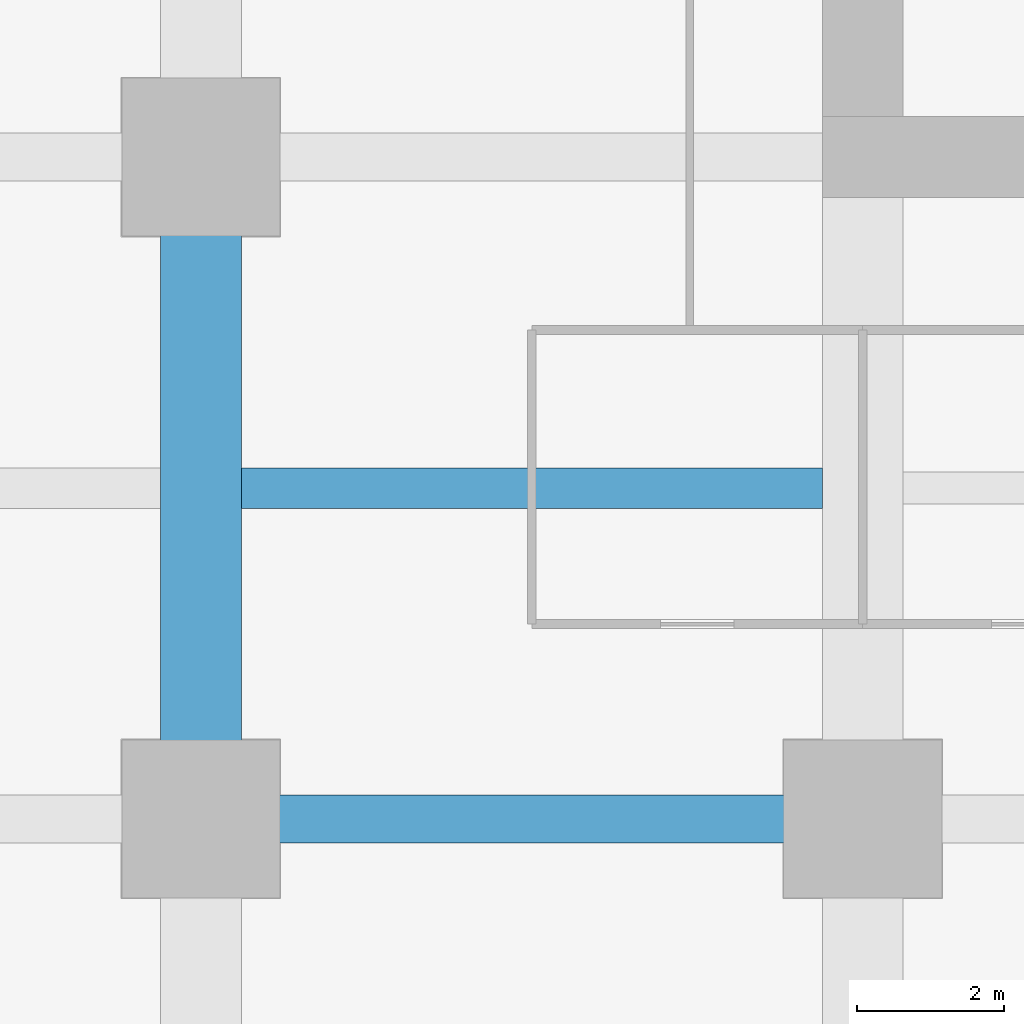
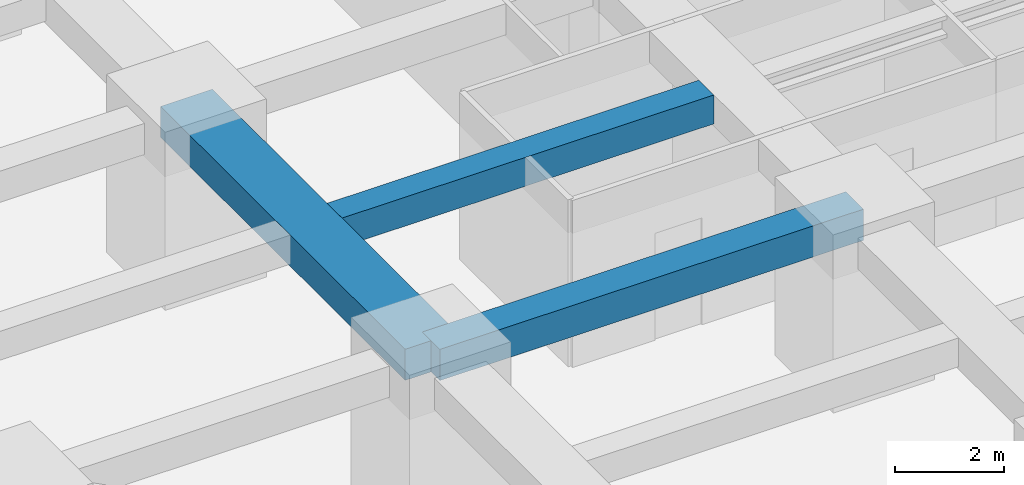
# One storey, part 5 of 44: 3 beams.
"""IFC4 building model written with IfcOpenShell, lengths in metres."""

from ifc_helpers import new_model, si_unit, direction, frame, origin, origin_2d, place, context, subcontext, project, spatial, rectangle, extrude, material, material_profile, profile_set, type_object, element, save


model = new_model("IFC4")

# Units and contexts
model_context = context("Model", 3, precision=1e-05, world=origin(), true_north=direction((0.0, 1.0)))
body_context = subcontext(model_context, "Body", "Model", "MODEL_VIEW")
ifc_project = project(units=[si_unit("LENGTHUNIT", "METRE"), si_unit("AREAUNIT", "SQUARE_METRE"), si_unit("VOLUMEUNIT", "CUBIC_METRE"), si_unit("PLANEANGLEUNIT", "RADIAN"), si_unit("MASSUNIT", "GRAM", prefix="KILO")], contexts=[model_context])

# Site, building, storey
site_placement = place(None, origin())
site = spatial("IfcSite", under=ifc_project, at=site_placement, CompositionType="ELEMENT")
building_placement = place(site_placement, origin())
building = spatial("IfcBuilding", under=site, at=building_placement, Name="Zorevar Civic Tower", CompositionType="ELEMENT")
storey_placement = place(building_placement, frame((0.0, 0.0, 59.800048828125)))
storey = spatial("IfcBuildingStorey", under=building, at=storey_placement, Name="L14", CompositionType="ELEMENT", Elevation=59.800048828125)

# Beams
ifc_material_1 = material(Name="Concrete C50/60", Category="concrete")
ifc_material_profile_1 = material_profile(ifc_material_1, rectangle(XDim=1.10009765625, YDim=0.699951171875, at=origin_2d()), Name="RC 1100x700")
ifc_profile_set_1 = profile_set([ifc_material_profile_1], Name="Concrete C50/60")
beam_type_1 = type_object("IfcBeamType", Name="Beam RC 1100x700", PredefinedType="BEAM", material=ifc_profile_set_1)
beam_1_placement = place(storey_placement, frame((9.0, 9.0, 3.39990234375), z_axis=(0.0, 1.0, 0.0), x_axis=(-1.0, 0.0, 0.0)))
element("IfcBeam", 1, at=beam_1_placement, inside=storey, type_object=beam_type_1, Name="Girder L15", PredefinedType="BEAM", context=body_context, shape_type="SweptSolid", body=[
    extrude(rectangle(XDim=1.10009765625, YDim=0.699951171875, at=origin_2d()), origin(), (0.0, 0.0, 1.0), 9.0),
])
ifc_material_2 = material(Name="Concrete C50/60", Category="concrete")
ifc_material_profile_2 = material_profile(ifc_material_2, rectangle(XDim=0.550048828125, YDim=0.64990234375, at=origin_2d()), Name="RC 550x650")
ifc_profile_set_2 = profile_set([ifc_material_profile_2], Name="Concrete C50/60")
beam_type_2 = type_object("IfcBeamType", Name="Beam RC 550x650", PredefinedType="BEAM", material=ifc_profile_set_2)
beam_2_placement = place(storey_placement, frame((9.550048828125, 13.5, 3.425048828125), z_axis=(1.0, 0.0, 0.0), x_axis=(0.0, 1.0, 0.0)))
element("IfcBeam", 2, at=beam_2_placement, inside=storey, type_object=beam_type_2, Name="Secondary beam L15", PredefinedType="BEAM", context=body_context, shape_type="SweptSolid", body=[
    extrude(rectangle(XDim=0.550048828125, YDim=0.64990234375, at=origin_2d()), origin(), (0.0, 0.0, 1.0), 7.89990234375),
])
ifc_material_3 = material(Name="Concrete C50/60", Category="concrete")
ifc_material_profile_3 = material_profile(ifc_material_3, rectangle(XDim=0.64990234375, YDim=0.699951171875, at=origin_2d()), Name="RC 650x700")
ifc_profile_set_3 = profile_set([ifc_material_profile_3], Name="Concrete C50/60")
beam_type_3 = type_object("IfcBeamType", Name="Beam RC 650x700", PredefinedType="BEAM", material=ifc_profile_set_3)
beam_3_placement = place(storey_placement, frame((9.0, 9.0, 3.39990234375), z_axis=(1.0, 0.0, 0.0), x_axis=(0.0, 1.0, 0.0)))
element("IfcBeam", 3, at=beam_3_placement, inside=storey, type_object=beam_type_3, Name="Girder L15", PredefinedType="BEAM", context=body_context, shape_type="SweptSolid", body=[
    extrude(rectangle(XDim=0.64990234375, YDim=0.699951171875, at=origin_2d()), origin(), (0.0, 0.0, 1.0), 9.0),
])

save(model, "model.ifc")
